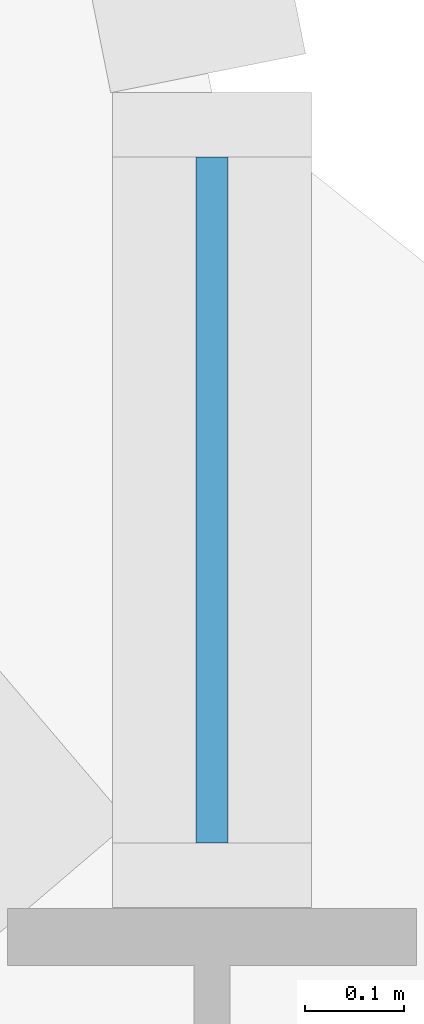
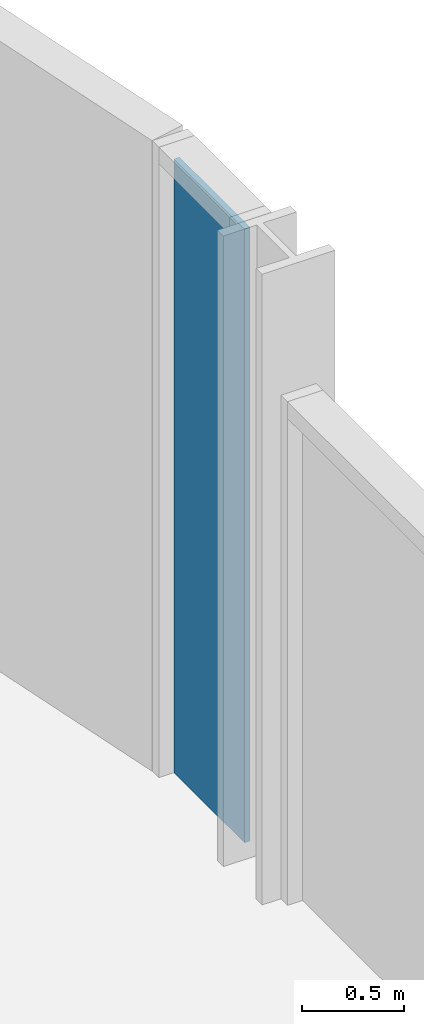
# One storey, part 12 of 28: 1 plate, 1 element without a shape of its own.
"""IFC4 building model written with IfcOpenShell, lengths in metres."""

from ifc_helpers import new_model, si_unit, direction, frame, origin, origin_2d, place, context, subcontext, project, spatial, rectangle, extrude, material, layer, layer_set, type_object, element, aggregate, save


model = new_model("IFC4")

# Units and contexts
model_context = context("Model", 3, precision=1e-05, world=origin(), true_north=direction((0.0, 1.0)))
body_context = subcontext(model_context, "Body", "Model", "MODEL_VIEW")
ifc_project = project(units=[si_unit("LENGTHUNIT", "METRE"), si_unit("AREAUNIT", "SQUARE_METRE"), si_unit("VOLUMEUNIT", "CUBIC_METRE"), si_unit("PLANEANGLEUNIT", "RADIAN"), si_unit("MASSUNIT", "GRAM", prefix="KILO")], contexts=[model_context])

# Site, building, storey
site_placement = place(None, origin())
site = spatial("IfcSite", under=ifc_project, at=site_placement, CompositionType="ELEMENT")
building_placement = place(site_placement, origin())
building = spatial("IfcBuilding", under=site, at=building_placement, Name="Mahtab Terrace Research Tower", CompositionType="ELEMENT")
storey_placement = place(building_placement, frame((0.0, 0.0, 134.300048828125)))
storey = spatial("IfcBuildingStorey", under=building, at=storey_placement, Name="L31", CompositionType="ELEMENT", Elevation=134.300048828125)

# Curtain wall, plate
ifc_material_1 = material(Name="Laboratory ribbon curtain wall")
curtain_wall_type = type_object("IfcCurtainWallType", Name="Laboratory ribbon curtain wall", PredefinedType="NOTDEFINED", material=ifc_material_1)
curtain_wall_placement = place(storey_placement, origin())
curtain_wall = element("IfcCurtainWall", 1, at=curtain_wall_placement, inside=storey, type_object=curtain_wall_type, Name="EN.L31.18.39", PredefinedType="NOTDEFINED")
ifc_material_2 = material(Name="Dark glazing", Category="glass")
ifc_layer = layer(ifc_material_2, 0.031982421875)
ifc_layer_set = layer_set([ifc_layer], Name="Laboratory ribbon curtain wall glazing panel")
plate_type = type_object("IfcPlateType", Name="Laboratory ribbon curtain wall glazing panel", PredefinedType="CURTAIN_PANEL", material=ifc_layer_set)
plate_placement = place(storey_placement, frame((48.0, 22.590087890625, 0.0), z_axis=(0.0, 0.0, 1.0), x_axis=(0.0, 1.0, 0.0)))
plate = element("IfcPlate", 2, at=plate_placement, type_object=plate_type, Name="CWL-4 panel 1", PredefinedType="CURTAIN_PANEL", context=body_context, shape_type="SweptSolid", body=[
    extrude(rectangle(XDim=0.68994140625, YDim=0.031982421875, at=origin_2d()), origin(), (0.0, 0.0, 1.0), 3.659912109375),
])
aggregate(curtain_wall, [plate])

save(model, "model.ifc")
